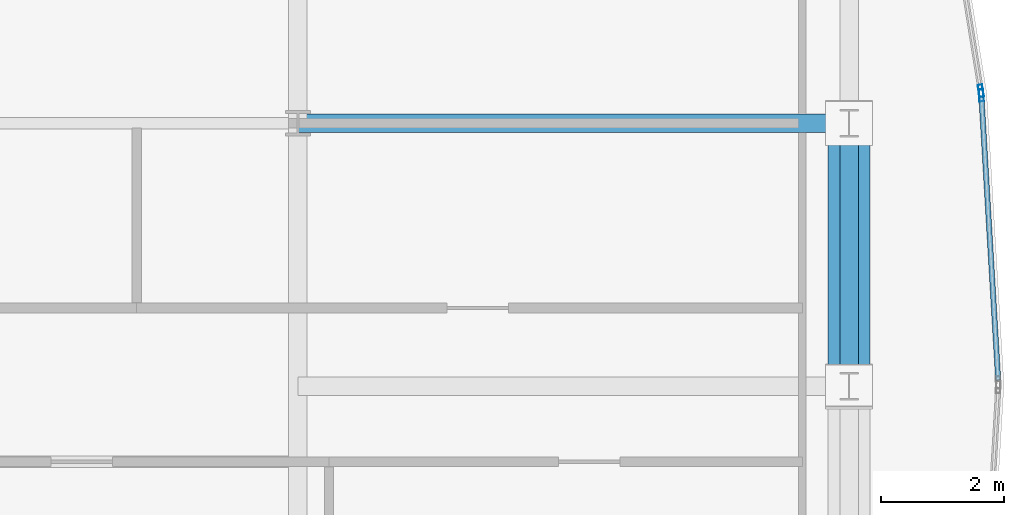
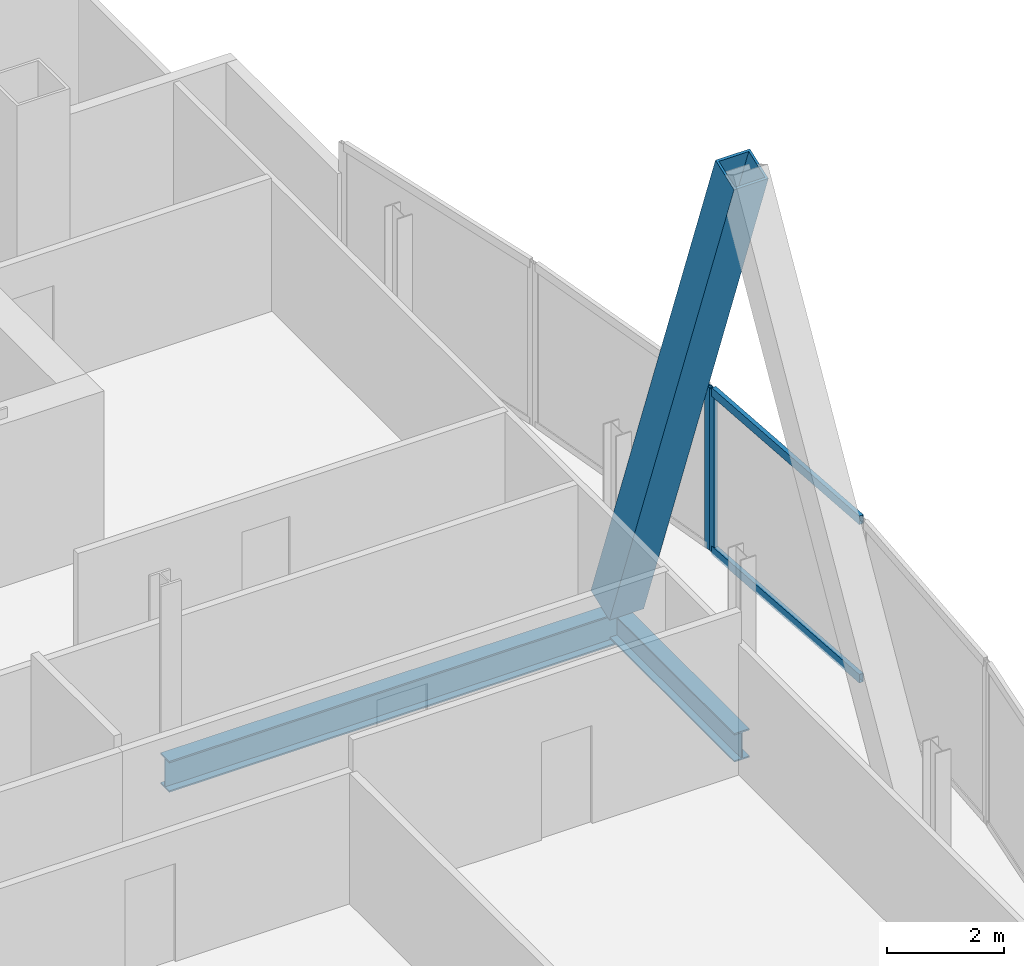
# One storey, part 19 of 31: 5 members, 2 beams, 2 elements without a shape of their own.
"""IFC4 building model written with IfcOpenShell, lengths in metres."""

from ifc_helpers import new_model, si_unit, direction, frame, origin, origin_2d, place, context, subcontext, project, spatial, hollow_rectangle, i_section, extrude, material, material_profile, profile_set, type_object, element, aggregate, save


model = new_model("IFC4")

# Units and contexts
model_context = context("Model", 3, precision=1e-05, world=origin(), true_north=direction((0.0, 1.0)))
body_context = subcontext(model_context, "Body", "Model", "MODEL_VIEW")
ifc_project = project(units=[si_unit("LENGTHUNIT", "METRE"), si_unit("AREAUNIT", "SQUARE_METRE"), si_unit("VOLUMEUNIT", "CUBIC_METRE"), si_unit("PLANEANGLEUNIT", "RADIAN"), si_unit("MASSUNIT", "GRAM", prefix="KILO")], contexts=[model_context])

# Site, building, storey
site_placement = place(None, origin())
site = spatial("IfcSite", under=ifc_project, at=site_placement, CompositionType="ELEMENT")
building_placement = place(site_placement, origin())
building = spatial("IfcBuilding", under=site, at=building_placement, Name="Khoronbel Lancet Exchange", CompositionType="ELEMENT")
storey_placement = place(building_placement, frame((0.0, 0.0, 261.800048828125)))
storey = spatial("IfcBuildingStorey", under=building, at=storey_placement, Name="L67", CompositionType="ELEMENT", Elevation=261.800048828125)

# Beams
ifc_material_1 = material(Name="Steel S355", Category="steel")
ifc_material_profile_1 = material_profile(ifc_material_1, i_section(OverallWidth=0.300048828125, OverallDepth=0.64990234375, WebThickness=0.01611328125, FlangeThickness=0.031005859375, at=origin_2d()), Name="HEB 650")
ifc_profile_set_1 = profile_set([ifc_material_profile_1], Name="Steel S355")
beam_type_1 = type_object("IfcBeamType", Name="BM-BG4", PredefinedType="BEAM", material=ifc_profile_set_1)
beam_1_placement = place(storey_placement, frame((54.675048828125, 35.699951171875, -0.485107421875), z_axis=(1.0, 0.0, 0.0), x_axis=(0.0, 1.0, 0.0)))
element("IfcBeam", 1, at=beam_1_placement, inside=storey, type_object=beam_type_1, Name="Level L67 east lens tie girder LG4E", PredefinedType="BEAM", context=body_context, shape_type="SweptSolid", body=[
    extrude(i_section(OverallWidth=0.300048828125, OverallDepth=0.64990234375, WebThickness=0.01611328125, FlangeThickness=0.031005859375, at=origin_2d()), origin(), (0.0, 0.0, 1.0), 8.954833984375),
])
ifc_material_profile_2 = material_profile(ifc_material_1, i_section(OverallWidth=0.300048828125, OverallDepth=0.60009765625, WebThickness=0.015380859375, FlangeThickness=0.030029296875, at=origin_2d()), Name="HEB 600")
ifc_profile_set_2 = profile_set([ifc_material_profile_2], Name="Steel S355")
beam_type_2 = type_object("IfcBeamType", Name="BM-BSP2", PredefinedType="SPANDREL", material=ifc_profile_set_2)
beam_2_placement = place(storey_placement, frame((63.6298828125, 31.425048828125, -0.4599609375), z_axis=(0.0, 1.0, 0.0), x_axis=(-1.0, 0.0, 0.0)))
element("IfcBeam", 2, at=beam_2_placement, inside=storey, type_object=beam_type_2, Name="Level L67 perimeter spandrel beam SP13", PredefinedType="SPANDREL", context=body_context, shape_type="SweptSolid", body=[
    extrude(i_section(OverallWidth=0.300048828125, OverallDepth=0.60009765625, WebThickness=0.015380859375, FlangeThickness=0.030029296875, at=origin_2d()), origin(), (0.0, 0.0, 1.0), 4.27490234375),
])

# Curtain wall, member
ifc_material_2 = material(Name="Low-E Solar Control Insulating Glass", Category="glass")
curtain_wall_type = type_object("IfcCurtainWallType", Name="CW-4", PredefinedType="NOTDEFINED", material=ifc_material_2)
curtain_wall_1_placement = place(storey_placement, origin())
curtain_wall_1 = element("IfcCurtainWall", 3, at=curtain_wall_1_placement, inside=storey, type_object=curtain_wall_type, Name="Unitised curtain wall CW-L67-E18", PredefinedType="NOTDEFINED")
ifc_material_3 = material(Name="Bronze-Anodised Aluminium 6063-T6", Category="aluminium")
ifc_material_profile_3 = material_profile(ifc_material_3, hollow_rectangle(XDim=0.074951171875, YDim=0.199951171875, WallThickness=0.0048828125, at=origin_2d()), Name="ALU MULLION 75x200")
ifc_profile_set_3 = profile_set([ifc_material_profile_3], Name="Bronze-Anodised Aluminium 6063-T6")
member_type_1 = type_object("IfcMemberType", Name="MEM-CWM2", PredefinedType="MULLION", material=ifc_profile_set_3)
member_1_placement = place(storey_placement, frame((65.769775390625, 36.22705078125, 0.0), z_axis=(0.0, 0.0, 1.0), x_axis=(0.987205103846, 0.159455582972, 0.0)))
member_1 = element("IfcMember", 4, at=member_1_placement, type_object=member_type_1, Name="CW4 mullion 2", PredefinedType="MULLION", context=body_context, shape_type="SweptSolid", body=[
    extrude(hollow_rectangle(XDim=0.074951171875, YDim=0.199951171875, WallThickness=0.0048828125, at=origin_2d()), origin(), (0.0, 0.0, 1.0), 3.39990234375),
])
aggregate(curtain_wall_1, [member_1])

# Curtain wall, members
curtain_wall_2_placement = place(storey_placement, origin())
curtain_wall_2 = element("IfcCurtainWall", 5, at=curtain_wall_2_placement, inside=storey, type_object=curtain_wall_type, Name="Unitised curtain wall CW-L67-E19", PredefinedType="NOTDEFINED")
member_2_placement = place(storey_placement, frame((65.778076171875, 36.152587890625, 0.0), z_axis=(0.0, 0.0, 1.0), x_axis=(0.998257411242, 0.059009667857, 0.0)))
member_2 = element("IfcMember", 6, at=member_2_placement, type_object=member_type_1, Name="CW4 mullion 1", PredefinedType="MULLION", context=body_context, shape_type="SweptSolid", body=[
    extrude(hollow_rectangle(XDim=0.074951171875, YDim=0.199951171875, WallThickness=0.0048828125, at=origin_2d()), origin(), (0.0, 0.0, 1.0), 3.39990234375),
])
ifc_material_profile_4 = material_profile(ifc_material_3, hollow_rectangle(XDim=0.0849609375, YDim=0.179931640625, WallThickness=0.0048828125, at=origin_2d()), Name="ALU TRANSOM 85x180")
ifc_profile_set_4 = profile_set([ifc_material_profile_4], Name="Bronze-Anodised Aluminium 6063-T6")
member_type_2 = type_object("IfcMemberType", Name="MEM-CWT1", PredefinedType="USERDEFINED", material=ifc_profile_set_4)
member_3_placement = place(storey_placement, frame((65.7802734375, 36.115234375, 0.04248046875), z_axis=(0.058986570603, -0.998258776314, 0.0), x_axis=(0.998258776314, 0.058986570603, 0.0)))
member_3 = element("IfcMember", 7, at=member_3_placement, type_object=member_type_2, Name="CW4 transom 1.1", ObjectType="TRANSOM", PredefinedType="USERDEFINED", context=body_context, shape_type="SweptSolid", body=[
    extrude(hollow_rectangle(XDim=0.0849609375, YDim=0.179931640625, WallThickness=0.0048828125, at=origin_2d()), origin(), (0.0, 0.0, 1.0), 4.598388671875),
])
member_4_placement = place(storey_placement, frame((65.7802734375, 36.115234375, 3.357421875), z_axis=(0.058986570603, -0.998258776314, 0.0), x_axis=(0.998258776314, 0.058986570603, 0.0)))
member_4 = element("IfcMember", 8, at=member_4_placement, type_object=member_type_2, Name="CW4 transom 1.2", ObjectType="TRANSOM", PredefinedType="USERDEFINED", context=body_context, shape_type="SweptSolid", body=[
    extrude(hollow_rectangle(XDim=0.0849609375, YDim=0.179931640625, WallThickness=0.0048828125, at=origin_2d()), origin(), (0.0, 0.0, 1.0), 4.598388671875),
])
aggregate(curtain_wall_2, [member_2, member_3, member_4])

# Member
ifc_material_4 = material(Name="Steel S460", Category="steel")
ifc_material_profile_5 = material_profile(ifc_material_4, hollow_rectangle(XDim=0.679931640625, YDim=0.679931640625, WallThickness=0.044921875, at=origin_2d()), Name="BOX 680x680x45")
ifc_profile_set_5 = profile_set([ifc_material_profile_5], Name="Steel S460")
member_type_3 = type_object("IfcMemberType", Name="MEM-MB3", PredefinedType="BRACE", material=ifc_profile_set_5)
member_5_placement = place(storey_placement, frame((63.6298828125, 35.699951171875, 0.0), z_axis=(0.0, -0.345795959408, 0.938309732688), x_axis=(1.0, 0.0, 0.0)))
element("IfcMember", 9, at=member_5_placement, inside=storey, type_object=member_type_3, Name="Perimeter lancet brace tier 23 E-P-R", PredefinedType="BRACE", context=body_context, shape_type="SweptSolid", body=[
    extrude(hollow_rectangle(XDim=0.679931640625, YDim=0.679931640625, WallThickness=0.044921875, at=origin_2d()), origin(), (0.0, 0.0, 1.0), 12.362548828125),
])

save(model, "model.ifc")
